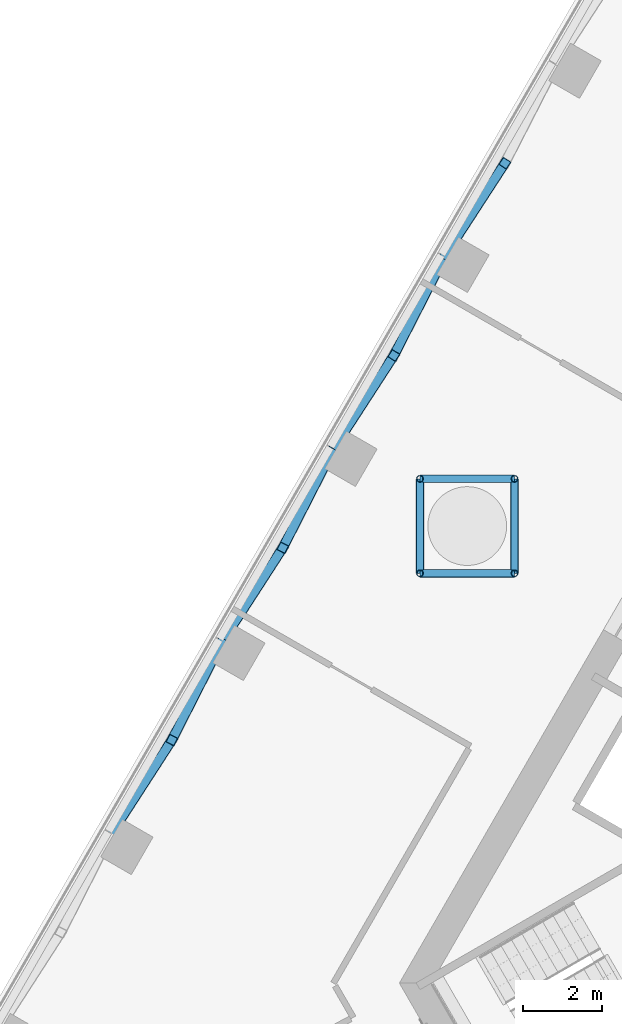
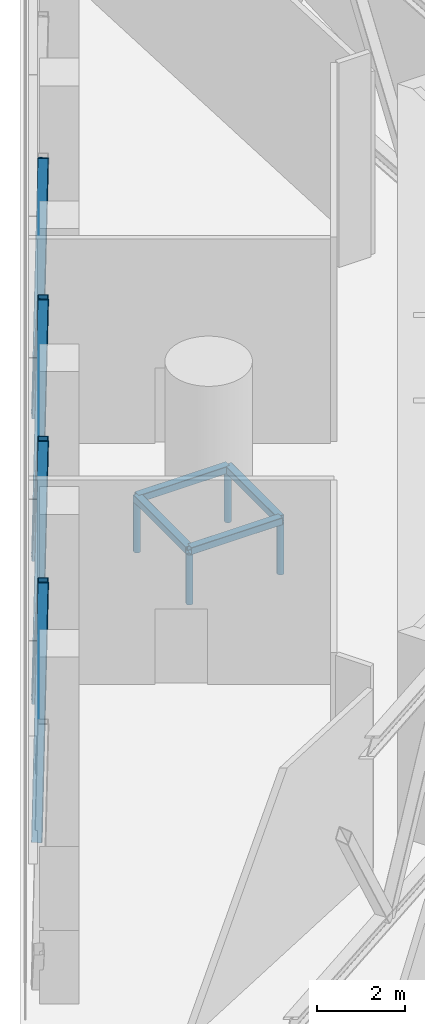
# One storey, part 3 of 15: 15 members.
"""IFC4 building model written with IfcOpenShell, lengths in metres."""

from ifc_helpers import new_model, si_unit, direction, frame, origin, origin_2d, place, context, subcontext, project, spatial, hollow_rectangle, hollow_circle, extrude, material, material_profile, profile_set, type_object, element, save


model = new_model("IFC4")

# Units and contexts
model_context = context("Model", 3, precision=1e-05, world=origin(), true_north=direction((0.0, 1.0)))
body_context = subcontext(model_context, "Body", "Model", "MODEL_VIEW")
ifc_project = project(units=[si_unit("LENGTHUNIT", "METRE"), si_unit("AREAUNIT", "SQUARE_METRE"), si_unit("VOLUMEUNIT", "CUBIC_METRE"), si_unit("PLANEANGLEUNIT", "RADIAN"), si_unit("MASSUNIT", "GRAM", prefix="KILO")], contexts=[model_context])

# Site, building, storey
site_placement = place(None, origin())
site = spatial("IfcSite", under=ifc_project, at=site_placement, CompositionType="ELEMENT")
building_placement = place(site_placement, origin())
building = spatial("IfcBuilding", under=site, at=building_placement, Name="Triada Interchange Tower", CompositionType="ELEMENT")
storey_placement = place(building_placement, frame((0.0, 0.0, 255.800048828125)))
storey = spatial("IfcBuildingStorey", under=building, at=storey_placement, Name="L60", CompositionType="ELEMENT", Elevation=255.800048828125)

# Members
ifc_material = material(Name="Steel S355", Category="steel")
ifc_material_profile_1 = material_profile(ifc_material, hollow_rectangle(XDim=0.25, YDim=0.25, WallThickness=0.012451171875, InnerFilletRadius=0.012451171875, OuterFilletRadius=0.018798828125, at=origin_2d()), Name="RHS 250x250x12.5")
ifc_profile_set_1 = profile_set([ifc_material_profile_1], Name="Steel S355")
member_type_1 = type_object("IfcMemberType", Name="Belt truss diagonal RHS 250x250x12.5", PredefinedType="BRACE", material=ifc_profile_set_1)
member_1_placement = place(storey_placement, frame((-11.64990234375, 13.294921875, 0.14990234375), z_axis=(0.256263585233, 0.394401466101, 0.882483120757), x_axis=(-0.838538196991, 0.544842814202, 0.0)))
element("IfcMember", 1, at=member_1_placement, inside=storey, type_object=member_type_1, Name="Belt truss diagonal 006 L60", PredefinedType="BRACE", context=body_context, shape_type="SweptSolid", body=[
    extrude(hollow_rectangle(XDim=0.25, YDim=0.25, WallThickness=0.012451171875, InnerFilletRadius=0.012451171875, OuterFilletRadius=0.018798828125, at=origin_2d()), origin(), (0.0, 0.0, 1.0), 5.892333984375),
])
member_2_placement = place(storey_placement, frame((-11.64990234375, 13.294921875, 0.14990234375), z_axis=(-0.220330361029, -0.430675590068, 0.875198873473), x_axis=(0.890260978331, -0.455450755253, 0.0)))
element("IfcMember", 2, at=member_2_placement, inside=storey, type_object=member_type_1, Name="Belt truss diagonal 007 L60", PredefinedType="BRACE", context=body_context, shape_type="SweptSolid", body=[
    extrude(hollow_rectangle(XDim=0.25, YDim=0.25, WallThickness=0.012451171875, InnerFilletRadius=0.012451171875, OuterFilletRadius=0.018798828125, at=origin_2d()), origin(), (0.0, 0.0, 1.0), 5.94140625),
])
member_3_placement = place(storey_placement, frame((-14.493896484375, 8.367919921875, 0.14990234375), z_axis=(0.259433978627, 0.400271925033, 0.878906364048), x_axis=(-0.839154448943, 0.54389319799, 0.0)))
element("IfcMember", 3, at=member_3_placement, inside=storey, type_object=member_type_1, Name="Belt truss diagonal 008 L60", PredefinedType="BRACE", context=body_context, shape_type="SweptSolid", body=[
    extrude(hollow_rectangle(XDim=0.25, YDim=0.25, WallThickness=0.012451171875, InnerFilletRadius=0.012451171875, OuterFilletRadius=0.018798828125, at=origin_2d()), origin(), (0.0, 0.0, 1.0), 5.91650390625),
])
member_4_placement = place(storey_placement, frame((-14.493896484375, 8.367919921875, 0.14990234375), z_axis=(-0.217039993593, -0.424878481754, 0.878846924626), x_axis=(0.890536687813, -0.454911428367, 0.0)))
element("IfcMember", 4, at=member_4_placement, inside=storey, type_object=member_type_1, Name="Belt truss diagonal 009 L60", PredefinedType="BRACE", context=body_context, shape_type="SweptSolid", body=[
    extrude(hollow_rectangle(XDim=0.25, YDim=0.25, WallThickness=0.012451171875, InnerFilletRadius=0.012451171875, OuterFilletRadius=0.018798828125, at=origin_2d()), origin(), (0.0, 0.0, 1.0), 5.916748046875),
])
member_5_placement = place(storey_placement, frame((-17.339111328125, 3.43994140625, 0.14990234375), z_axis=(0.262724515257, 0.406290273203, 0.875159438607), x_axis=(-0.839729612593, 0.54300476769, 0.0)))
element("IfcMember", 5, at=member_5_placement, inside=storey, type_object=member_type_1, Name="Belt truss diagonal 010 L60", PredefinedType="BRACE", context=body_context, shape_type="SweptSolid", body=[
    extrude(hollow_rectangle(XDim=0.25, YDim=0.25, WallThickness=0.012451171875, InnerFilletRadius=0.012451171875, OuterFilletRadius=0.018798828125, at=origin_2d()), origin(), (0.0, 0.0, 1.0), 5.941650390625),
])
member_6_placement = place(storey_placement, frame((-17.339111328125, 3.44091796875, 0.14990234375), z_axis=(-0.213314130369, -0.419045415778, 0.882551993539), x_axis=(0.891178661952, -0.453652501901, 0.0)))
element("IfcMember", 6, at=member_6_placement, inside=storey, type_object=member_type_1, Name="Belt truss diagonal 011 L60", PredefinedType="BRACE", context=body_context, shape_type="SweptSolid", body=[
    extrude(hollow_rectangle(XDim=0.25, YDim=0.25, WallThickness=0.012451171875, InnerFilletRadius=0.012451171875, OuterFilletRadius=0.018798828125, at=origin_2d()), origin(), (0.0, 0.0, 1.0), 5.891845703125),
])
member_7_placement = place(storey_placement, frame((-20.18408203125, -1.486083984375, 0.14990234375), z_axis=(0.266159032861, 0.411942988907, 0.87147136678), x_axis=(-0.83993480476, 0.542687316742, 0.0)))
element("IfcMember", 7, at=member_7_placement, inside=storey, type_object=member_type_1, Name="Belt truss diagonal 012 L60", PredefinedType="BRACE", context=body_context, shape_type="SweptSolid", body=[
    extrude(hollow_rectangle(XDim=0.25, YDim=0.25, WallThickness=0.012451171875, InnerFilletRadius=0.012451171875, OuterFilletRadius=0.018798828125, at=origin_2d()), origin(), (0.0, 0.0, 1.0), 5.966796875),
])
ifc_material_profile_2 = material_profile(ifc_material, hollow_rectangle(XDim=0.199951171875, YDim=0.199951171875, WallThickness=0.010009765625, InnerFilletRadius=0.010009765625, OuterFilletRadius=0.014892578125, at=origin_2d()), Name="RHS 200x200x10")
ifc_profile_set_2 = profile_set([ifc_material_profile_2], Name="Steel S355")
member_type_2 = type_object("IfcMemberType", Name="Turbine frame beam RHS 200x200x10", PredefinedType="USERDEFINED", material=ifc_profile_set_2)
for number, where, z_axis, x_axis, name in (
    (8, (-12.294921875, 5.205078125, 1.5), (1.0, 0.0, 0.0), (0.0, 1.0, 0.0), "Turbine 1 frame beam 1"),
    (9, (-9.89501953125, 5.205078125, 1.5), (0.0, 1.0, 0.0), (-1.0, 0.0, 0.0), "Turbine 1 frame beam 2"),
    (10, (-9.89501953125, 7.60498046875, 1.5), (-1.0, 0.0, 0.0), (0.0, -1.0, 0.0), "Turbine 1 frame beam 3"),
    (11, (-12.294921875, 7.60498046875, 1.5), (0.0, -1.0, 0.0), (1.0, 0.0, 0.0), "Turbine 1 frame beam 4"),
):
    element("IfcMember", number, at=place(storey_placement, frame(where, z_axis=z_axis, x_axis=x_axis)), inside=storey, type_object=member_type_2, Name=name, ObjectType="TURBINE FRAME", PredefinedType="USERDEFINED", context=body_context, shape_type="SweptSolid", body=[
        extrude(hollow_rectangle(XDim=0.199951171875, YDim=0.199951171875, WallThickness=0.010009765625, InnerFilletRadius=0.010009765625, OuterFilletRadius=0.014892578125, at=origin_2d()), origin(), (0.0, 0.0, 1.0), 2.39990234375),
    ])
ifc_material_profile_3 = material_profile(ifc_material, hollow_circle(Radius=0.084228515625, WallThickness=0.008056640625, at=origin_2d()), Name="CHS 168.3x8")
ifc_profile_set_3 = profile_set([ifc_material_profile_3], Name="Steel S355")
member_type_3 = type_object("IfcMemberType", Name="Turbine frame post CHS 168.3x8", PredefinedType="USERDEFINED", material=ifc_profile_set_3)
for number, where, z_axis, x_axis, name in (
    (12, (-12.294921875, 5.205078125, 0.0), (0.0, 0.0, 1.0), (1.0, 0.0, 0.0), "Turbine 1 frame post 1"),
    (13, (-9.89501953125, 5.205078125, 0.0), (0.0, 0.0, 1.0), (1.0, 0.0, 0.0), "Turbine 1 frame post 2"),
    (14, (-9.89501953125, 7.60498046875, 0.0), (0.0, 0.0, 1.0), (1.0, 0.0, 0.0), "Turbine 1 frame post 3"),
    (15, (-12.294921875, 7.60498046875, 0.0), (0.0, 0.0, 1.0), (1.0, 0.0, 0.0), "Turbine 1 frame post 4"),
):
    element("IfcMember", number, at=place(storey_placement, frame(where, z_axis=z_axis, x_axis=x_axis)), inside=storey, type_object=member_type_3, Name=name, ObjectType="TURBINE FRAME", PredefinedType="USERDEFINED", context=body_context, shape_type="SweptSolid", body=[
        extrude(hollow_circle(Radius=0.084228515625, WallThickness=0.008056640625, at=origin_2d()), origin(), (0.0, 0.0, 1.0), 1.39990234375),
    ])

save(model, "model.ifc")
